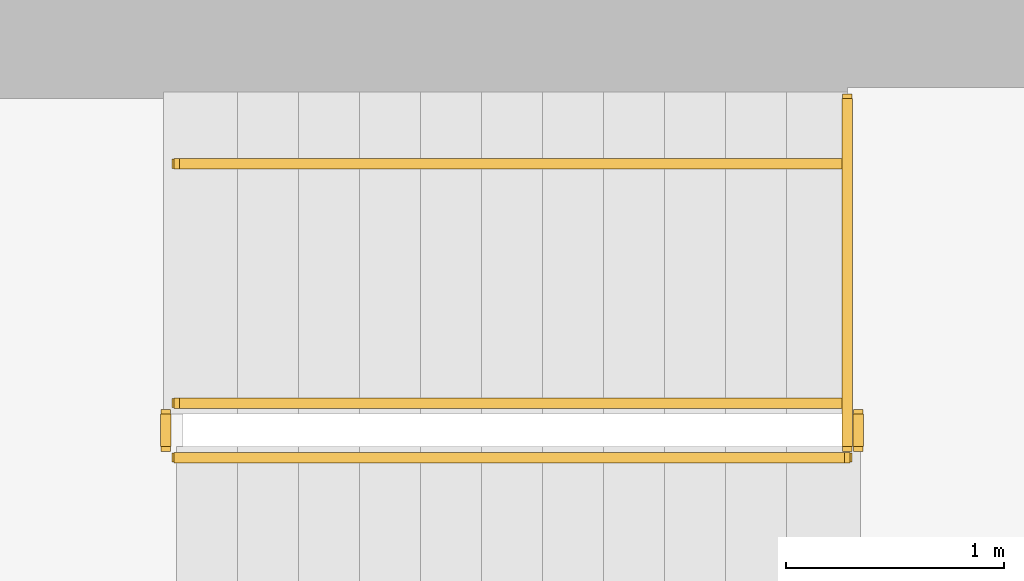
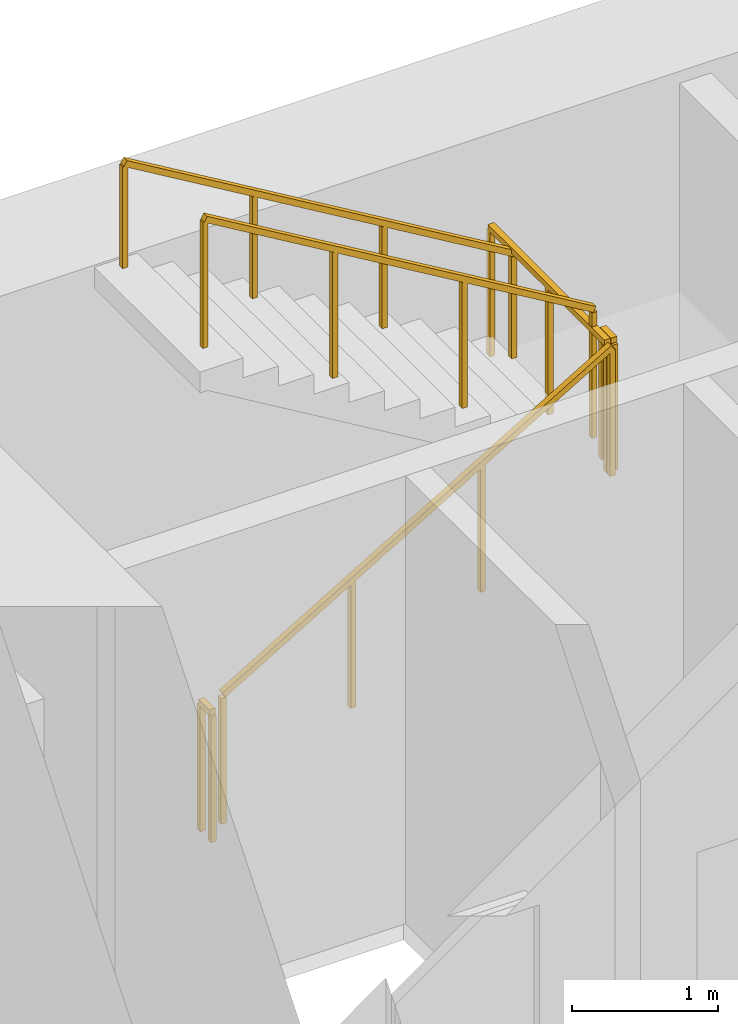
# One storey, part 15 of 16: 6 railings.
"""IFC4 building model written with IfcOpenShell, lengths in metres."""

from ifc_helpers import new_model, si_unit, direction, frame, origin, origin_2d, place, context, subcontext, project, spatial, rectangle, extrude, material, type_object, element, save


model = new_model("IFC4")

# Units and contexts
model_context = context("Model", 3, precision=1e-05, world=origin(), true_north=direction((0.0, 1.0)))
body_context = subcontext(model_context, "Body", "Model", "MODEL_VIEW")
ifc_project = project(units=[si_unit("LENGTHUNIT", "METRE"), si_unit("AREAUNIT", "SQUARE_METRE"), si_unit("VOLUMEUNIT", "CUBIC_METRE"), si_unit("PLANEANGLEUNIT", "RADIAN"), si_unit("MASSUNIT", "GRAM", prefix="KILO")], contexts=[model_context])

# Site, building, storey
site_placement = place(None, origin())
site = spatial("IfcSite", under=ifc_project, at=site_placement, CompositionType="ELEMENT")
building_placement = place(site_placement, origin())
building = spatial("IfcBuilding", under=site, at=building_placement, Name="Sennacour Bend Tower", CompositionType="ELEMENT")
storey_placement = place(building_placement, frame((0.0, 0.0, 239.0)))
storey = spatial("IfcBuildingStorey", under=building, at=storey_placement, Name="L55", CompositionType="ELEMENT", Elevation=239.0)

# Railings
ifc_material = material(Name="Stainless steel", Category="steel")
railing_type_1 = type_object("IfcRailingType", Name="RL-GUARD-1100", PredefinedType="GUARDRAIL", material=ifc_material)
railing_1_placement = place(storey_placement, frame((56.699951171875, 19.85009765625, 0.166748046875)))
element("IfcRailing", 1, at=railing_1_placement, inside=storey, type_object=railing_type_1, Name="L55 SA2 stair guard 1", PredefinedType="GUARDRAIL", context=body_context, shape_type="SweptSolid", body=[
    extrude(rectangle(XDim=0.048095703125, YDim=0.048095703125, at=origin_2d()), frame((0.0, 0.0, 1.076171875), z_axis=(0.859308565015, 0.0, 0.511457515432), x_axis=(0.0, 1.0, 0.0)), (0.0, 0.0, 1.0), 3.58447265625),
    extrude(rectangle(XDim=0.0419921875, YDim=0.0419921875, at=origin_2d()), origin(), (0.0, 0.0, 1.0), 1.052001953125),
    extrude(rectangle(XDim=0.0419921875, YDim=0.0419921875, at=origin_2d()), frame((1.026611328125, 0.0, 0.611083984375)), (0.0, 0.0, 1.0), 1.052001953125),
    extrude(rectangle(XDim=0.0419921875, YDim=0.0419921875, at=origin_2d()), frame((2.053466796875, 0.0, 1.22216796875)), (0.0, 0.0, 1.0), 1.052001953125),
    extrude(rectangle(XDim=0.0419921875, YDim=0.0419921875, at=origin_2d()), frame((3.080078125, 0.0, 1.833251953125)), (0.0, 0.0, 1.0), 1.052001953125),
])
railing_2_placement = place(storey_placement, frame((59.830078125, 19.89990234375, 2.0)))
element("IfcRailing", 2, at=railing_2_placement, inside=storey, type_object=railing_type_1, Name="L55 SA2 stair guard 2", PredefinedType="GUARDRAIL", context=body_context, shape_type="SweptSolid", body=[
    extrude(rectangle(XDim=0.048095703125, YDim=0.048095703125, at=origin_2d()), frame((0.0, 0.0, 1.076171875), z_axis=(0.0, 1.0, 0.0), x_axis=(-1.0, 0.0, 0.0)), (0.0, 0.0, 1.0), 0.150146484375),
    extrude(rectangle(XDim=0.0419921875, YDim=0.0419921875, at=origin_2d()), origin(), (0.0, 0.0, 1.0), 1.052001953125),
    extrude(rectangle(XDim=0.0419921875, YDim=0.0419921875, at=origin_2d()), frame((0.0, 0.150146484375, 0.0)), (0.0, 0.0, 1.0), 1.052001953125),
])
railing_3_placement = place(storey_placement, frame((59.780029296875, 20.10009765625, 2.166748046875)))
element("IfcRailing", 3, at=railing_3_placement, inside=storey, type_object=railing_type_1, Name="L55 SA2 stair guard 4", PredefinedType="GUARDRAIL", context=body_context, shape_type="SweptSolid", body=[
    extrude(rectangle(XDim=0.048095703125, YDim=0.048095703125, at=origin_2d()), frame((0.0, 0.0, 1.076171875), z_axis=(-0.859308565015, 0.0, 0.511457515432), x_axis=(0.0, -1.0, 0.0)), (0.0, 0.0, 1.0), 3.58447265625),
    extrude(rectangle(XDim=0.0419921875, YDim=0.0419921875, at=origin_2d()), origin(), (0.0, 0.0, 1.0), 1.052001953125),
    extrude(rectangle(XDim=0.0419921875, YDim=0.0419921875, at=origin_2d()), frame((-1.026611328125, 0.0, 0.611083984375)), (0.0, 0.0, 1.0), 1.052001953125),
    extrude(rectangle(XDim=0.0419921875, YDim=0.0419921875, at=origin_2d()), frame((-2.053466796875, 0.0, 1.22216796875)), (0.0, 0.0, 1.0), 1.052001953125),
    extrude(rectangle(XDim=0.0419921875, YDim=0.0419921875, at=origin_2d()), frame((-3.080078125, 0.0, 1.833251953125)), (0.0, 0.0, 1.0), 1.052001953125),
])
railing_4_placement = place(storey_placement, frame((56.64990234375, 19.89990234375, 0.0)))
element("IfcRailing", 4, at=railing_4_placement, inside=storey, type_object=railing_type_1, Name="L55 SA2 stair guard 5", PredefinedType="GUARDRAIL", context=body_context, shape_type="SweptSolid", body=[
    extrude(rectangle(XDim=0.048095703125, YDim=0.048095703125, at=origin_2d()), frame((0.0, 0.0, 1.076171875), z_axis=(0.0, 1.0, 0.0), x_axis=(-1.0, 0.0, 0.0)), (0.0, 0.0, 1.0), 0.150146484375),
    extrude(rectangle(XDim=0.0419921875, YDim=0.0419921875, at=origin_2d()), origin(), (0.0, 0.0, 1.0), 1.052001953125),
    extrude(rectangle(XDim=0.0419921875, YDim=0.0419921875, at=origin_2d()), frame((0.0, 0.150146484375, 0.0)), (0.0, 0.0, 1.0), 1.052001953125),
])
railing_5_placement = place(storey_placement, frame((59.780029296875, 19.89990234375, 2.0)))
element("IfcRailing", 5, at=railing_5_placement, inside=storey, type_object=railing_type_1, Name="L55 SA2 landing edge guard 72", PredefinedType="GUARDRAIL", context=body_context, shape_type="SweptSolid", body=[
    extrude(rectangle(XDim=0.048095703125, YDim=0.048095703125, at=origin_2d()), frame((0.0, 0.0, 1.076171875), z_axis=(0.0, 1.0, 0.0), x_axis=(-1.0, 0.0, 0.0)), (0.0, 0.0, 1.0), 1.60009765625),
    extrude(rectangle(XDim=0.0419921875, YDim=0.0419921875, at=origin_2d()), origin(), (0.0, 0.0, 1.0), 1.052001953125),
    extrude(rectangle(XDim=0.0419921875, YDim=0.0419921875, at=origin_2d()), frame((0.0, 0.800048828125, 0.0)), (0.0, 0.0, 1.0), 1.052001953125),
    extrude(rectangle(XDim=0.0419921875, YDim=0.0419921875, at=origin_2d()), frame((0.0, 1.60009765625, 0.0)), (0.0, 0.0, 1.0), 1.052001953125),
])
railing_type_2 = type_object("IfcRailingType", Name="RL-HANDRAIL-900", PredefinedType="HANDRAIL", material=ifc_material)
railing_6_placement = place(storey_placement, frame((59.780029296875, 21.199951171875, 2.166748046875)))
element("IfcRailing", 6, at=railing_6_placement, inside=storey, type_object=railing_type_2, Name="L55 SA2 stair handrail 2", PredefinedType="HANDRAIL", context=body_context, shape_type="SweptSolid", body=[
    extrude(rectangle(XDim=0.048095703125, YDim=0.048095703125, at=origin_2d()), frame((0.0, 0.0, 0.8759765625), z_axis=(-0.859308565015, 0.0, 0.511457515432), x_axis=(0.0, -1.0, 0.0)), (0.0, 0.0, 1.0), 3.58447265625),
    extrude(rectangle(XDim=0.0419921875, YDim=0.0419921875, at=origin_2d()), origin(), (0.0, 0.0, 1.0), 0.851806640625),
    extrude(rectangle(XDim=0.0419921875, YDim=0.0419921875, at=origin_2d()), frame((-1.026611328125, 0.0, 0.611083984375)), (0.0, 0.0, 1.0), 0.851806640625),
    extrude(rectangle(XDim=0.0419921875, YDim=0.0419921875, at=origin_2d()), frame((-2.053466796875, 0.0, 1.22216796875)), (0.0, 0.0, 1.0), 0.851806640625),
    extrude(rectangle(XDim=0.0419921875, YDim=0.0419921875, at=origin_2d()), frame((-3.080078125, 0.0, 1.833251953125)), (0.0, 0.0, 1.0), 0.851806640625),
])

save(model, "model.ifc")
